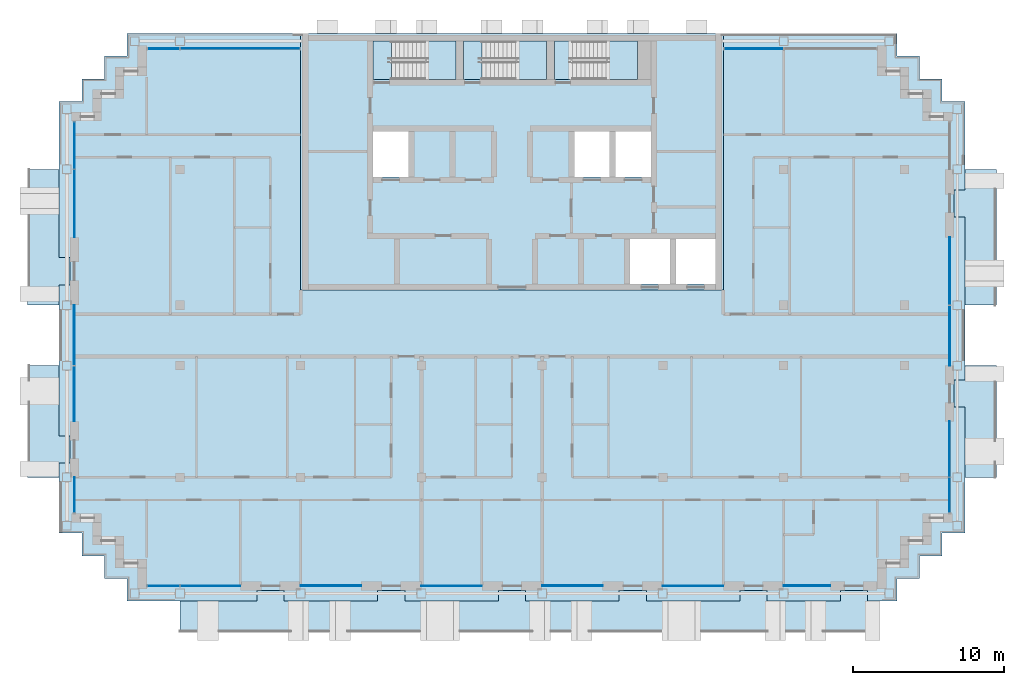
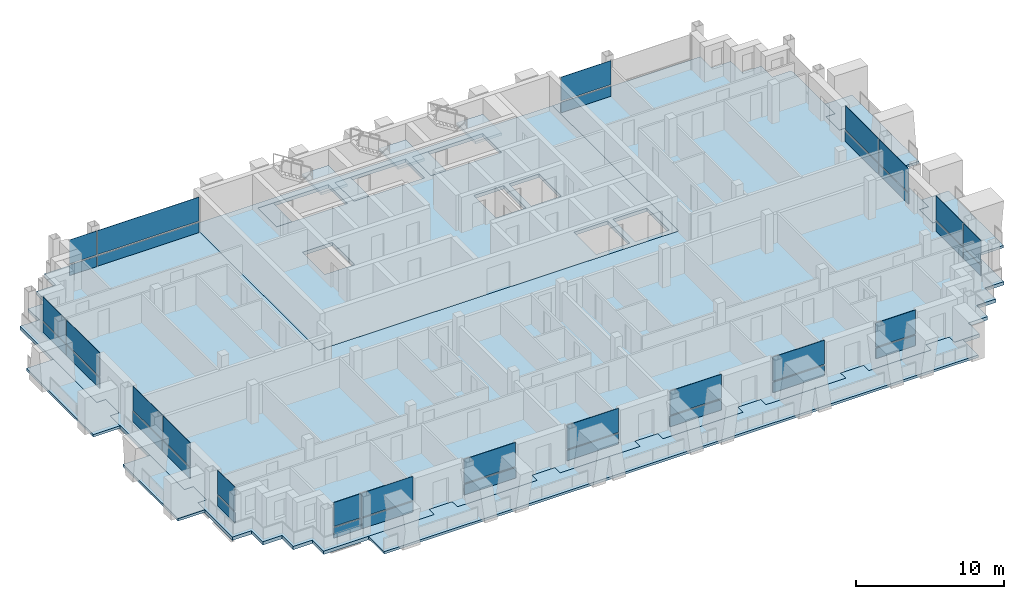
# One storey, part 6 of 16: 38 plates, 13 slabs, 16 elements without a shape of their own.
"""IFC4 building model written with IfcOpenShell, lengths in metres."""

from ifc_helpers import new_model, si_unit, direction, frame, origin, origin_2d, place, context, subcontext, project, spatial, polyline, rectangle, outline, extrude, material, layer, layer_set, type_object, element, aggregate, save


model = new_model("IFC4")

# Units and contexts
model_context = context("Model", 3, precision=1e-05, world=origin(), true_north=direction((0.0, 1.0)))
body_context = subcontext(model_context, "Body", "Model", "MODEL_VIEW")
ifc_project = project(units=[si_unit("LENGTHUNIT", "METRE"), si_unit("AREAUNIT", "SQUARE_METRE"), si_unit("VOLUMEUNIT", "CUBIC_METRE"), si_unit("PLANEANGLEUNIT", "RADIAN"), si_unit("MASSUNIT", "GRAM", prefix="KILO")], contexts=[model_context])

# Site, building, storey
site_placement = place(None, origin())
site = spatial("IfcSite", under=ifc_project, at=site_placement, CompositionType="ELEMENT")
building_placement = place(site_placement, origin())
building = spatial("IfcBuilding", under=site, at=building_placement, Name="Vidyagriha Tower", CompositionType="ELEMENT")
storey_placement = place(building_placement, frame((0.0, 0.0, 217.199951171875)))
storey = spatial("IfcBuildingStorey", under=building, at=storey_placement, Name="L56", CompositionType="ELEMENT", Elevation=217.199951171875)

# Curtain wall, plate
ifc_material_1 = material(Name="Aluminium and glass curtain wall", Category="aluminium")
curtain_wall_type = type_object("IfcCurtainWallType", Name="Dwelling skin unitised curtain wall", PredefinedType="USERDEFINED", material=ifc_material_1)
curtain_wall_1_placement = place(storey_placement, origin())
curtain_wall_1 = element("IfcCurtainWall", 1, at=curtain_wall_1_placement, inside=storey, type_object=curtain_wall_type, Name="CW1 dwelling skin", ObjectType="UNITISED", PredefinedType="USERDEFINED")
ifc_material_2 = material(Name="Glass dark ceramic-fritted spandrel", Category="glass")
ifc_layer_1 = layer(ifc_material_2, 0.0400390625)
ifc_layer_set_1 = layer_set([ifc_layer_1], Name="Glass dark ceramic-fritted spandrel")
plate_type_1 = type_object("IfcPlateType", Name="Ceramic-fritted spandrel panel", PredefinedType="CURTAIN_PANEL", material=ifc_layer_set_1)
plate_1_placement = place(storey_placement, frame((-18.017578125, 19.0, 0.0), z_axis=(0.0, 0.0, 1.0), x_axis=(-1.0, 0.0, 0.0)))
plate_1 = element("IfcPlate", 2, at=plate_1_placement, type_object=plate_type_1, Name="CW1 panel 1.1", PredefinedType="CURTAIN_PANEL", context=body_context, shape_type="SweptSolid", body=[
    extrude(rectangle(XDim=7.89501953125, YDim=0.0400390625, at=origin_2d()), origin(), (0.0, 0.0, 1.0), 0.85009765625),
])

# Curtain wall, plates
curtain_wall_2_placement = place(storey_placement, origin())
curtain_wall_2 = element("IfcCurtainWall", 3, at=curtain_wall_2_placement, inside=storey, type_object=curtain_wall_type, Name="CW1 dwelling skin", ObjectType="UNITISED", PredefinedType="USERDEFINED")
plate_2_placement = place(storey_placement, frame((-29.0, 12.58251953125, 0.0), z_axis=(0.0, 0.0, 1.0), x_axis=(0.0, -1.0, 0.0)))
plate_2 = element("IfcPlate", 4, at=plate_2_placement, type_object=plate_type_1, Name="CW1 panel 1.1", PredefinedType="CURTAIN_PANEL", context=body_context, shape_type="SweptSolid", body=[
    extrude(rectangle(XDim=3.094970703125, YDim=0.0400390625, at=origin_2d()), origin(), (0.0, 0.0, 1.0), 0.85009765625),
])
plate_3_placement = place(storey_placement, frame((-29.0, 8.732421875, 0.0), z_axis=(0.0, 0.0, 1.0), x_axis=(0.0, -1.0, 0.0)))
plate_3 = element("IfcPlate", 5, at=plate_3_placement, type_object=plate_type_1, Name="CW1 panel 2.1", PredefinedType="CURTAIN_PANEL", context=body_context, shape_type="SweptSolid", body=[
    extrude(rectangle(XDim=4.465087890625, YDim=0.0400390625, at=origin_2d()), origin(), (0.0, 0.0, 1.0), 0.85009765625),
])

# Curtain wall, plate
curtain_wall_3_placement = place(storey_placement, origin())
curtain_wall_3 = element("IfcCurtainWall", 6, at=curtain_wall_3_placement, inside=storey, type_object=curtain_wall_type, Name="CW1 dwelling skin", ObjectType="UNITISED", PredefinedType="USERDEFINED")
plate_4_placement = place(storey_placement, frame((-29.0, -10.56494140625, 0.0), z_axis=(0.0, 0.0, 1.0), x_axis=(0.0, -1.0, 0.0)))
plate_4 = element("IfcPlate", 7, at=plate_4_placement, type_object=plate_type_1, Name="CW1 panel 1.1", PredefinedType="CURTAIN_PANEL", context=body_context, shape_type="SweptSolid", body=[
    extrude(rectangle(XDim=2.330078125, YDim=0.0400390625, at=origin_2d()), origin(), (0.0, 0.0, 1.0), 0.85009765625),
])

# Curtain wall, plates
curtain_wall_4_placement = place(storey_placement, origin())
curtain_wall_4 = element("IfcCurtainWall", 8, at=curtain_wall_4_placement, inside=storey, type_object=curtain_wall_type, Name="CW1 dwelling skin", ObjectType="UNITISED", PredefinedType="USERDEFINED")
plate_5_placement = place(storey_placement, frame((-23.08251953125, -16.60009765625, 0.0)))
plate_5 = element("IfcPlate", 9, at=plate_5_placement, type_object=plate_type_1, Name="CW1 panel 1.1", PredefinedType="CURTAIN_PANEL", context=body_context, shape_type="SweptSolid", body=[
    extrude(rectangle(XDim=2.094970703125, YDim=0.0400390625, at=origin_2d()), origin(), (0.0, 0.0, 1.0), 0.85009765625),
])
plate_6_placement = place(storey_placement, frame((-19.982421875, -16.60009765625, 0.0)))
plate_6 = element("IfcPlate", 10, at=plate_6_placement, type_object=plate_type_1, Name="CW1 panel 2.1", PredefinedType="CURTAIN_PANEL", context=body_context, shape_type="SweptSolid", body=[
    extrude(rectangle(XDim=3.965087890625, YDim=0.0400390625, at=origin_2d()), origin(), (0.0, 0.0, 1.0), 0.85009765625),
])

# Curtain wall, plate
curtain_wall_5_placement = place(storey_placement, origin())
curtain_wall_5 = element("IfcCurtainWall", 11, at=curtain_wall_5_placement, inside=storey, type_object=curtain_wall_type, Name="CW1 dwelling skin", ObjectType="UNITISED", PredefinedType="USERDEFINED")
plate_7_placement = place(storey_placement, frame((-4.0, -16.60009765625, 0.0)))
plate_7 = element("IfcPlate", 12, at=plate_7_placement, type_object=plate_type_1, Name="CW1 panel 1.1", PredefinedType="CURTAIN_PANEL", context=body_context, shape_type="SweptSolid", body=[
    extrude(rectangle(XDim=4.0, YDim=0.0400390625, at=origin_2d()), origin(), (0.0, 0.0, 1.0), 0.85009765625),
])

curtain_wall_6_placement = place(storey_placement, origin())
curtain_wall_6 = element("IfcCurtainWall", 13, at=curtain_wall_6_placement, inside=storey, type_object=curtain_wall_type, Name="CW1 dwelling skin", ObjectType="UNITISED", PredefinedType="USERDEFINED")
plate_8_placement = place(storey_placement, frame((12.0, -16.60009765625, 0.0)))
plate_8 = element("IfcPlate", 14, at=plate_8_placement, type_object=plate_type_1, Name="CW1 panel 1.1", PredefinedType="CURTAIN_PANEL", context=body_context, shape_type="SweptSolid", body=[
    extrude(rectangle(XDim=4.0, YDim=0.0400390625, at=origin_2d()), origin(), (0.0, 0.0, 1.0), 0.85009765625),
])

# Curtain wall, plates
curtain_wall_7_placement = place(storey_placement, origin())
curtain_wall_7 = element("IfcCurtainWall", 15, at=curtain_wall_7_placement, inside=storey, type_object=curtain_wall_type, Name="CW1 dwelling skin", ObjectType="UNITISED", PredefinedType="USERDEFINED")
plate_9_placement = place(storey_placement, frame((29.0, -10.58251953125, 0.0), z_axis=(0.0, 0.0, 1.0), x_axis=(0.0, 1.0, 0.0)))
plate_9 = element("IfcPlate", 16, at=plate_9_placement, type_object=plate_type_1, Name="CW1 panel 1.1", PredefinedType="CURTAIN_PANEL", context=body_context, shape_type="SweptSolid", body=[
    extrude(rectangle(XDim=2.294921875, YDim=0.0400390625, at=origin_2d()), origin(), (0.0, 0.0, 1.0), 0.85009765625),
])
plate_10_placement = place(storey_placement, frame((29.0, -7.532470703125, 0.0), z_axis=(0.0, 0.0, 1.0), x_axis=(0.0, 1.0, 0.0)))
plate_10 = element("IfcPlate", 17, at=plate_10_placement, type_object=plate_type_1, Name="CW1 panel 2.1", PredefinedType="CURTAIN_PANEL", context=body_context, shape_type="SweptSolid", body=[
    extrude(rectangle(XDim=3.6650390625, YDim=0.0400390625, at=origin_2d()), origin(), (0.0, 0.0, 1.0), 0.85009765625),
])

# Slab
ifc_material_3 = material(Name="Concrete C60/75", Category="concrete")
ifc_layer_2 = layer(ifc_material_3, 0.280029296875)
ifc_layer_set_2 = layer_set([ifc_layer_2], Name="Concrete C60/75")
slab_type_1 = type_object("IfcSlabType", Name="Core floor slab 280 mm", PredefinedType="FLOOR", material=ifc_layer_set_2)
slab_1_placement = place(storey_placement, frame((0.0, 0.0, -0.280029296875)))
element("IfcSlab", 18, at=slab_1_placement, inside=storey, type_object=slab_type_1, Name="L56 core floor 1", PredefinedType="FLOOR", context=body_context, shape_type="SweptSolid", body=[
    extrude(outline(polyline([(-14.0, 3.0), (-14.0, 20.0), (14.0, 20.0), (14.0, 3.0), (-14.0, 3.0)]), holes=[polyline([(13.5, 6.39990234375), (10.855712890625, 6.39990234375), (10.855712890625, 3.39990234375), (13.5, 3.39990234375), (13.5, 6.39990234375)]), polyline([(10.45556640625, 6.39990234375), (7.81103515625, 6.39990234375), (7.81103515625, 3.39990234375), (10.45556640625, 3.39990234375), (10.45556640625, 6.39990234375)]), polyline([(9.199951171875, 13.5), (6.86669921875, 13.5), (6.86669921875, 10.5), (9.199951171875, 10.5), (9.199951171875, 13.5)]), polyline([(2.800048828125, 19.5), (2.800048828125, 16.949951171875), (4.0, 16.949951171875), (8.300048828125, 16.949951171875), (8.300048828125, 19.5), (4.0, 19.5), (2.800048828125, 19.5)]), polyline([(4.13330078125, 13.5), (4.13330078125, 10.5), (6.466796875, 10.5), (6.466796875, 13.5), (4.13330078125, 13.5)]), polyline([(-2.0, 19.5), (-3.199951171875, 19.5), (-3.199951171875, 16.949951171875), (-2.0, 16.949951171875), (2.300048828125, 16.949951171875), (2.300048828125, 19.5), (-2.0, 19.5)]), polyline([(-9.199951171875, 19.5), (-9.199951171875, 16.949951171875), (-8.0, 16.949951171875), (-3.699951171875, 16.949951171875), (-3.699951171875, 19.5), (-8.0, 19.5), (-9.199951171875, 19.5)]), polyline([(-9.199951171875, 13.5), (-9.199951171875, 10.5), (-6.86669921875, 10.5), (-6.86669921875, 13.5), (-9.199951171875, 13.5)])]), origin(), (0.0, 0.0, 1.0), 0.280029296875),
])

# Curtain wall, plate
curtain_wall_8_placement = place(storey_placement, origin())
curtain_wall_8 = element("IfcCurtainWall", 19, at=curtain_wall_8_placement, inside=storey, type_object=curtain_wall_type, Name="CW1 dwelling skin", ObjectType="UNITISED", PredefinedType="USERDEFINED")
ifc_material_4 = material(Name="Glass dark ceramic-fritted", Category="glass")
ifc_layer_3 = layer(ifc_material_4, 0.028076171875)
ifc_layer_set_3 = layer_set([ifc_layer_3], Name="Glass dark ceramic-fritted")
plate_type_2 = type_object("IfcPlateType", Name="Dark ceramic-fritted vision glass panel", PredefinedType="CURTAIN_PANEL", material=ifc_layer_set_3)
plate_11_placement = place(storey_placement, frame((16.017578125, 19.0, 0.9501953125), z_axis=(0.0, 0.0, 1.0), x_axis=(-1.0, 0.0, 0.0)))
plate_11 = element("IfcPlate", 20, at=plate_11_placement, type_object=plate_type_2, Name="CW1 panel 2.2", PredefinedType="CURTAIN_PANEL", context=body_context, shape_type="SweptSolid", body=[
    extrude(rectangle(XDim=3.89501953125, YDim=0.028076171875, at=origin_2d()), origin(), (0.0, 0.0, 1.0), 1.969970703125),
])

# Plate
plate_12_placement = place(storey_placement, frame((-18.017578125, 19.0, 0.9501953125), z_axis=(0.0, 0.0, 1.0), x_axis=(-1.0, 0.0, 0.0)))
plate_12 = element("IfcPlate", 21, at=plate_12_placement, type_object=plate_type_2, Name="CW1 panel 1.2", PredefinedType="CURTAIN_PANEL", context=body_context, shape_type="SweptSolid", body=[
    extrude(rectangle(XDim=7.89501953125, YDim=0.028076171875, at=origin_2d()), origin(), (0.0, 0.0, 1.0), 1.969970703125),
])

plate_13_placement = place(storey_placement, frame((-23.08251953125, 19.0, 0.9501953125), z_axis=(0.0, 0.0, 1.0), x_axis=(-1.0, 0.0, 0.0)))
plate_13 = element("IfcPlate", 22, at=plate_13_placement, type_object=plate_type_2, Name="CW1 panel 2.2", PredefinedType="CURTAIN_PANEL", context=body_context, shape_type="SweptSolid", body=[
    extrude(rectangle(XDim=2.094970703125, YDim=0.028076171875, at=origin_2d()), origin(), (0.0, 0.0, 1.0), 1.969970703125),
])

plate_14_placement = place(storey_placement, frame((-29.0, 12.58251953125, 0.9501953125), z_axis=(0.0, 0.0, 1.0), x_axis=(0.0, -1.0, 0.0)))
plate_14 = element("IfcPlate", 23, at=plate_14_placement, type_object=plate_type_2, Name="CW1 panel 1.2", PredefinedType="CURTAIN_PANEL", context=body_context, shape_type="SweptSolid", body=[
    extrude(rectangle(XDim=3.094970703125, YDim=0.028076171875, at=origin_2d()), origin(), (0.0, 0.0, 1.0), 1.969970703125),
])

plate_15_placement = place(storey_placement, frame((-29.0, 8.732421875, 0.9501953125), z_axis=(0.0, 0.0, 1.0), x_axis=(0.0, -1.0, 0.0)))
plate_15 = element("IfcPlate", 24, at=plate_15_placement, type_object=plate_type_2, Name="CW1 panel 2.2", PredefinedType="CURTAIN_PANEL", context=body_context, shape_type="SweptSolid", body=[
    extrude(rectangle(XDim=4.465087890625, YDim=0.028076171875, at=origin_2d()), origin(), (0.0, 0.0, 1.0), 1.969970703125),
])

aggregate(curtain_wall_2, [plate_2, plate_14, plate_3, plate_15])

# Curtain wall, plates
curtain_wall_9_placement = place(storey_placement, origin())
curtain_wall_9 = element("IfcCurtainWall", 25, at=curtain_wall_9_placement, inside=storey, type_object=curtain_wall_type, Name="CW1 dwelling skin", ObjectType="UNITISED", PredefinedType="USERDEFINED")
plate_16_placement = place(storey_placement, frame((-29.0, 0.017578125, 0.9501953125), z_axis=(0.0, 0.0, 1.0), x_axis=(0.0, -1.0, 0.0)))
plate_16 = element("IfcPlate", 26, at=plate_16_placement, type_object=plate_type_2, Name="CW1 panel 1.2", PredefinedType="CURTAIN_PANEL", context=body_context, shape_type="SweptSolid", body=[
    extrude(rectangle(XDim=3.965087890625, YDim=0.028076171875, at=origin_2d()), origin(), (0.0, 0.0, 1.0), 1.969970703125),
])
plate_17_placement = place(storey_placement, frame((-29.0, -3.867431640625, 0.9501953125), z_axis=(0.0, 0.0, 1.0), x_axis=(0.0, -1.0, 0.0)))
plate_17 = element("IfcPlate", 27, at=plate_17_placement, type_object=plate_type_2, Name="CW1 panel 2.2", PredefinedType="CURTAIN_PANEL", context=body_context, shape_type="SweptSolid", body=[
    extrude(rectangle(XDim=3.6650390625, YDim=0.028076171875, at=origin_2d()), origin(), (0.0, 0.0, 1.0), 1.969970703125),
])

# Plate
plate_18_placement = place(storey_placement, frame((-29.0, -10.56494140625, 0.9501953125), z_axis=(0.0, 0.0, 1.0), x_axis=(0.0, -1.0, 0.0)))
plate_18 = element("IfcPlate", 28, at=plate_18_placement, type_object=plate_type_2, Name="CW1 panel 1.2", PredefinedType="CURTAIN_PANEL", context=body_context, shape_type="SweptSolid", body=[
    extrude(rectangle(XDim=2.330078125, YDim=0.028076171875, at=origin_2d()), origin(), (0.0, 0.0, 1.0), 1.969970703125),
])

aggregate(curtain_wall_3, [plate_4, plate_18])

plate_19_placement = place(storey_placement, frame((-23.08251953125, -16.60009765625, 0.9501953125)))
plate_19 = element("IfcPlate", 29, at=plate_19_placement, type_object=plate_type_2, Name="CW1 panel 1.2", PredefinedType="CURTAIN_PANEL", context=body_context, shape_type="SweptSolid", body=[
    extrude(rectangle(XDim=2.094970703125, YDim=0.028076171875, at=origin_2d()), origin(), (0.0, 0.0, 1.0), 1.969970703125),
])

plate_20_placement = place(storey_placement, frame((-19.982421875, -16.60009765625, 0.9501953125)))
plate_20 = element("IfcPlate", 30, at=plate_20_placement, type_object=plate_type_2, Name="CW1 panel 2.2", PredefinedType="CURTAIN_PANEL", context=body_context, shape_type="SweptSolid", body=[
    extrude(rectangle(XDim=3.965087890625, YDim=0.028076171875, at=origin_2d()), origin(), (0.0, 0.0, 1.0), 1.969970703125),
])

aggregate(curtain_wall_4, [plate_5, plate_19, plate_6, plate_20])

# Curtain wall, plate
curtain_wall_10_placement = place(storey_placement, origin())
curtain_wall_10 = element("IfcCurtainWall", 31, at=curtain_wall_10_placement, inside=storey, type_object=curtain_wall_type, Name="CW1 dwelling skin", ObjectType="UNITISED", PredefinedType="USERDEFINED")
plate_21_placement = place(storey_placement, frame((-12.0, -16.60009765625, 0.9501953125)))
plate_21 = element("IfcPlate", 32, at=plate_21_placement, type_object=plate_type_2, Name="CW1 panel 1.2", PredefinedType="CURTAIN_PANEL", context=body_context, shape_type="SweptSolid", body=[
    extrude(rectangle(XDim=4.0, YDim=0.028076171875, at=origin_2d()), origin(), (0.0, 0.0, 1.0), 1.969970703125),
])

# Plate
plate_22_placement = place(storey_placement, frame((-4.0, -16.60009765625, 0.9501953125)))
plate_22 = element("IfcPlate", 33, at=plate_22_placement, type_object=plate_type_2, Name="CW1 panel 1.2", PredefinedType="CURTAIN_PANEL", context=body_context, shape_type="SweptSolid", body=[
    extrude(rectangle(XDim=4.0, YDim=0.028076171875, at=origin_2d()), origin(), (0.0, 0.0, 1.0), 1.969970703125),
])

aggregate(curtain_wall_5, [plate_7, plate_22])

# Curtain wall, plate
curtain_wall_11_placement = place(storey_placement, origin())
curtain_wall_11 = element("IfcCurtainWall", 34, at=curtain_wall_11_placement, inside=storey, type_object=curtain_wall_type, Name="CW1 dwelling skin", ObjectType="UNITISED", PredefinedType="USERDEFINED")
plate_23_placement = place(storey_placement, frame((4.0, -16.60009765625, 0.9501953125)))
plate_23 = element("IfcPlate", 35, at=plate_23_placement, type_object=plate_type_2, Name="CW1 panel 1.2", PredefinedType="CURTAIN_PANEL", context=body_context, shape_type="SweptSolid", body=[
    extrude(rectangle(XDim=4.0, YDim=0.028076171875, at=origin_2d()), origin(), (0.0, 0.0, 1.0), 1.969970703125),
])

# Plate
plate_24_placement = place(storey_placement, frame((12.0, -16.60009765625, 0.9501953125)))
plate_24 = element("IfcPlate", 36, at=plate_24_placement, type_object=plate_type_2, Name="CW1 panel 1.2", PredefinedType="CURTAIN_PANEL", context=body_context, shape_type="SweptSolid", body=[
    extrude(rectangle(XDim=4.0, YDim=0.028076171875, at=origin_2d()), origin(), (0.0, 0.0, 1.0), 1.969970703125),
])

aggregate(curtain_wall_6, [plate_8, plate_24])

# Curtain wall, plate
curtain_wall_12_placement = place(storey_placement, origin())
curtain_wall_12 = element("IfcCurtainWall", 37, at=curtain_wall_12_placement, inside=storey, type_object=curtain_wall_type, Name="CW1 dwelling skin", ObjectType="UNITISED", PredefinedType="USERDEFINED")
plate_25_placement = place(storey_placement, frame((19.550048828125, -16.60009765625, 0.9501953125)))
plate_25 = element("IfcPlate", 38, at=plate_25_placement, type_object=plate_type_2, Name="CW1 panel 1.2", PredefinedType="CURTAIN_PANEL", context=body_context, shape_type="SweptSolid", body=[
    extrude(rectangle(XDim=3.10009765625, YDim=0.028076171875, at=origin_2d()), origin(), (0.0, 0.0, 1.0), 1.969970703125),
])

# Plate
plate_26_placement = place(storey_placement, frame((29.0, -10.58251953125, 0.9501953125), z_axis=(0.0, 0.0, 1.0), x_axis=(0.0, 1.0, 0.0)))
plate_26 = element("IfcPlate", 39, at=plate_26_placement, type_object=plate_type_2, Name="CW1 panel 1.2", PredefinedType="CURTAIN_PANEL", context=body_context, shape_type="SweptSolid", body=[
    extrude(rectangle(XDim=2.294921875, YDim=0.028076171875, at=origin_2d()), origin(), (0.0, 0.0, 1.0), 1.969970703125),
])

plate_27_placement = place(storey_placement, frame((29.0, -7.532470703125, 0.9501953125), z_axis=(0.0, 0.0, 1.0), x_axis=(0.0, 1.0, 0.0)))
plate_27 = element("IfcPlate", 40, at=plate_27_placement, type_object=plate_type_2, Name="CW1 panel 2.2", PredefinedType="CURTAIN_PANEL", context=body_context, shape_type="SweptSolid", body=[
    extrude(rectangle(XDim=3.6650390625, YDim=0.028076171875, at=origin_2d()), origin(), (0.0, 0.0, 1.0), 1.969970703125),
])

aggregate(curtain_wall_7, [plate_9, plate_26, plate_10, plate_27])

# Curtain wall, plates
curtain_wall_13_placement = place(storey_placement, origin())
curtain_wall_13 = element("IfcCurtainWall", 41, at=curtain_wall_13_placement, inside=storey, type_object=curtain_wall_type, Name="CW1 dwelling skin", ObjectType="UNITISED", PredefinedType="USERDEFINED")
plate_28_placement = place(storey_placement, frame((29.0, -0.017578125, 0.9501953125), z_axis=(0.0, 0.0, 1.0), x_axis=(0.0, 1.0, 0.0)))
plate_28 = element("IfcPlate", 42, at=plate_28_placement, type_object=plate_type_2, Name="CW1 panel 1.2", PredefinedType="CURTAIN_PANEL", context=body_context, shape_type="SweptSolid", body=[
    extrude(rectangle(XDim=3.965087890625, YDim=0.028076171875, at=origin_2d()), origin(), (0.0, 0.0, 1.0), 1.969970703125),
])
plate_29_placement = place(storey_placement, frame((29.0, 4.267578125, 0.9501953125), z_axis=(0.0, 0.0, 1.0), x_axis=(0.0, 1.0, 0.0)))
plate_29 = element("IfcPlate", 43, at=plate_29_placement, type_object=plate_type_2, Name="CW1 panel 2.2", PredefinedType="CURTAIN_PANEL", context=body_context, shape_type="SweptSolid", body=[
    extrude(rectangle(XDim=4.465087890625, YDim=0.028076171875, at=origin_2d()), origin(), (0.0, 0.0, 1.0), 1.969970703125),
])

# Slabs
ifc_material_5 = material(Name="Concrete C40/50", Category="concrete")
ifc_layer_4 = layer(ifc_material_5, 0.280029296875)
ifc_layer_set_4 = layer_set([ifc_layer_4], Name="Concrete C40/50")
slab_type_2 = type_object("IfcSlabType", Name="Exit stair floor landing 280 mm", PredefinedType="LANDING", material=ifc_layer_set_4)
slab_2_placement = place(storey_placement, frame((0.0, 0.0, -0.280029296875)))
element("IfcSlab", 44, at=slab_2_placement, inside=storey, type_object=slab_type_2, Name="ST1 floor landing L56", PredefinedType="LANDING", context=body_context, shape_type="SweptSolid", body=[
    extrude(outline(polyline([(-9.199951171875, 16.949951171875), (-8.0, 16.949951171875), (-8.0, 19.5), (-9.199951171875, 19.5), (-9.199951171875, 16.949951171875)])), origin(), (0.0, 0.0, 1.0), 0.280029296875),
])
slab_3_placement = place(storey_placement, frame((0.0, 0.0, -0.280029296875)))
element("IfcSlab", 45, at=slab_3_placement, inside=storey, type_object=slab_type_2, Name="ST2 floor landing L56", PredefinedType="LANDING", context=body_context, shape_type="SweptSolid", body=[
    extrude(outline(polyline([(-3.199951171875, 16.949951171875), (-2.0, 16.949951171875), (-2.0, 19.5), (-3.199951171875, 19.5), (-3.199951171875, 16.949951171875)])), origin(), (0.0, 0.0, 1.0), 0.280029296875),
])
slab_4_placement = place(storey_placement, frame((0.0, 0.0, -0.280029296875)))
element("IfcSlab", 46, at=slab_4_placement, inside=storey, type_object=slab_type_2, Name="ST3 floor landing L56", PredefinedType="LANDING", context=body_context, shape_type="SweptSolid", body=[
    extrude(outline(polyline([(2.800048828125, 16.949951171875), (4.0, 16.949951171875), (4.0, 19.5), (2.800048828125, 19.5), (2.800048828125, 16.949951171875)])), origin(), (0.0, 0.0, 1.0), 0.280029296875),
])

# Stair, slab
ifc_material_6 = material(Name="Concrete C40/50", Category="concrete")
stair_type = type_object("IfcStairType", Name="Exit stair, half-turn, precast flights", PredefinedType="HALF_TURN_STAIR", material=ifc_material_6)
stair_1_placement = place(storey_placement, origin())
stair_1 = element("IfcStair", 47, at=stair_1_placement, inside=storey, type_object=stair_type, Name="L56 Exit Stair ST1", PredefinedType="HALF_TURN_STAIR")
ifc_material_7 = material(Name="Concrete C40/50", Category="concrete")
ifc_layer_5 = layer(ifc_material_7, 0.199951171875)
ifc_layer_set_5 = layer_set([ifc_layer_5], Name="Concrete C40/50")
slab_type_3 = type_object("IfcSlabType", Name="Exit stair landing 200 mm", PredefinedType="LANDING", material=ifc_layer_set_5)
slab_5_placement = place(storey_placement, frame((0.0, 0.0, 1.400146484375)))
slab_5 = element("IfcSlab", 48, at=slab_5_placement, type_object=slab_type_3, Name="ST1 landing 1", PredefinedType="LANDING", context=body_context, shape_type="SweptSolid", body=[
    extrude(outline(polyline([(-5.760009765625, 16.949951171875), (-3.699951171875, 16.949951171875), (-3.699951171875, 19.5), (-5.760009765625, 19.5), (-5.760009765625, 16.949951171875)])), origin(), (0.0, 0.0, 1.0), 0.199951171875),
])
aggregate(stair_1, [slab_5])

stair_2_placement = place(storey_placement, origin())
stair_2 = element("IfcStair", 49, at=stair_2_placement, inside=storey, type_object=stair_type, Name="L56 Exit Stair ST2", PredefinedType="HALF_TURN_STAIR")
slab_6_placement = place(storey_placement, frame((0.0, 0.0, 1.400146484375)))
slab_6 = element("IfcSlab", 50, at=slab_6_placement, type_object=slab_type_3, Name="ST2 landing 1", PredefinedType="LANDING", context=body_context, shape_type="SweptSolid", body=[
    extrude(outline(polyline([(0.239990234375, 16.949951171875), (2.300048828125, 16.949951171875), (2.300048828125, 19.5), (0.239990234375, 19.5), (0.239990234375, 16.949951171875)])), origin(), (0.0, 0.0, 1.0), 0.199951171875),
])
aggregate(stair_2, [slab_6])

stair_3_placement = place(storey_placement, origin())
stair_3 = element("IfcStair", 51, at=stair_3_placement, inside=storey, type_object=stair_type, Name="L56 Exit Stair ST3", PredefinedType="HALF_TURN_STAIR")
slab_7_placement = place(storey_placement, frame((0.0, 0.0, 1.400146484375)))
slab_7 = element("IfcSlab", 52, at=slab_7_placement, type_object=slab_type_3, Name="ST3 landing 1", PredefinedType="LANDING", context=body_context, shape_type="SweptSolid", body=[
    extrude(outline(polyline([(6.239990234375, 16.949951171875), (8.300048828125, 16.949951171875), (8.300048828125, 19.5), (6.239990234375, 19.5), (6.239990234375, 16.949951171875)])), origin(), (0.0, 0.0, 1.0), 0.199951171875),
])
aggregate(stair_3, [slab_7])

# Plate
ifc_material_8 = material(Name="Aluminium black anodised", Category="aluminium")
ifc_layer_6 = layer(ifc_material_8, 0.06005859375)
ifc_layer_set_6 = layer_set([ifc_layer_6], Name="Aluminium black anodised")
plate_type_3 = type_object("IfcPlateType", Name="Operable black-metal vent panel", PredefinedType="CURTAIN_PANEL", material=ifc_layer_set_6)
plate_30_placement = place(storey_placement, frame((16.017578125, 19.0, 0.0), z_axis=(0.0, 0.0, 1.0), x_axis=(-1.0, 0.0, 0.0)))
plate_30 = element("IfcPlate", 53, at=plate_30_placement, type_object=plate_type_3, Name="CW1 panel 2.1", PredefinedType="CURTAIN_PANEL", context=body_context, shape_type="SweptSolid", body=[
    extrude(rectangle(XDim=3.89501953125, YDim=0.06005859375, at=origin_2d()), origin(), (0.0, 0.0, 1.0), 0.85009765625),
])

aggregate(curtain_wall_8, [plate_30, plate_11])

plate_31_placement = place(storey_placement, frame((-23.08251953125, 19.0, 0.0), z_axis=(0.0, 0.0, 1.0), x_axis=(-1.0, 0.0, 0.0)))
plate_31 = element("IfcPlate", 54, at=plate_31_placement, type_object=plate_type_3, Name="CW1 panel 2.1", PredefinedType="CURTAIN_PANEL", context=body_context, shape_type="SweptSolid", body=[
    extrude(rectangle(XDim=2.094970703125, YDim=0.06005859375, at=origin_2d()), origin(), (0.0, 0.0, 1.0), 0.85009765625),
])

aggregate(curtain_wall_1, [plate_1, plate_12, plate_31, plate_13])

plate_32_placement = place(storey_placement, frame((-29.0, 0.017578125, 0.0), z_axis=(0.0, 0.0, 1.0), x_axis=(0.0, -1.0, 0.0)))
plate_32 = element("IfcPlate", 55, at=plate_32_placement, type_object=plate_type_3, Name="CW1 panel 1.1", PredefinedType="CURTAIN_PANEL", context=body_context, shape_type="SweptSolid", body=[
    extrude(rectangle(XDim=3.965087890625, YDim=0.06005859375, at=origin_2d()), origin(), (0.0, 0.0, 1.0), 0.85009765625),
])

plate_33_placement = place(storey_placement, frame((-29.0, -3.867431640625, 0.0), z_axis=(0.0, 0.0, 1.0), x_axis=(0.0, -1.0, 0.0)))
plate_33 = element("IfcPlate", 56, at=plate_33_placement, type_object=plate_type_3, Name="CW1 panel 2.1", PredefinedType="CURTAIN_PANEL", context=body_context, shape_type="SweptSolid", body=[
    extrude(rectangle(XDim=3.6650390625, YDim=0.06005859375, at=origin_2d()), origin(), (0.0, 0.0, 1.0), 0.85009765625),
])

aggregate(curtain_wall_9, [plate_32, plate_16, plate_33, plate_17])

plate_34_placement = place(storey_placement, frame((-12.0, -16.60009765625, 0.0)))
plate_34 = element("IfcPlate", 57, at=plate_34_placement, type_object=plate_type_3, Name="CW1 panel 1.1", PredefinedType="CURTAIN_PANEL", context=body_context, shape_type="SweptSolid", body=[
    extrude(rectangle(XDim=4.0, YDim=0.06005859375, at=origin_2d()), origin(), (0.0, 0.0, 1.0), 0.85009765625),
])

aggregate(curtain_wall_10, [plate_34, plate_21])

plate_35_placement = place(storey_placement, frame((4.0, -16.60009765625, 0.0)))
plate_35 = element("IfcPlate", 58, at=plate_35_placement, type_object=plate_type_3, Name="CW1 panel 1.1", PredefinedType="CURTAIN_PANEL", context=body_context, shape_type="SweptSolid", body=[
    extrude(rectangle(XDim=4.0, YDim=0.06005859375, at=origin_2d()), origin(), (0.0, 0.0, 1.0), 0.85009765625),
])

aggregate(curtain_wall_11, [plate_35, plate_23])

plate_36_placement = place(storey_placement, frame((19.550048828125, -16.60009765625, 0.0)))
plate_36 = element("IfcPlate", 59, at=plate_36_placement, type_object=plate_type_3, Name="CW1 panel 1.1", PredefinedType="CURTAIN_PANEL", context=body_context, shape_type="SweptSolid", body=[
    extrude(rectangle(XDim=3.10009765625, YDim=0.06005859375, at=origin_2d()), origin(), (0.0, 0.0, 1.0), 0.85009765625),
])

aggregate(curtain_wall_12, [plate_36, plate_25])

plate_37_placement = place(storey_placement, frame((29.0, -0.017578125, 0.0), z_axis=(0.0, 0.0, 1.0), x_axis=(0.0, 1.0, 0.0)))
plate_37 = element("IfcPlate", 60, at=plate_37_placement, type_object=plate_type_3, Name="CW1 panel 1.1", PredefinedType="CURTAIN_PANEL", context=body_context, shape_type="SweptSolid", body=[
    extrude(rectangle(XDim=3.965087890625, YDim=0.06005859375, at=origin_2d()), origin(), (0.0, 0.0, 1.0), 0.85009765625),
])

plate_38_placement = place(storey_placement, frame((29.0, 4.267578125, 0.0), z_axis=(0.0, 0.0, 1.0), x_axis=(0.0, 1.0, 0.0)))
plate_38 = element("IfcPlate", 61, at=plate_38_placement, type_object=plate_type_3, Name="CW1 panel 2.1", PredefinedType="CURTAIN_PANEL", context=body_context, shape_type="SweptSolid", body=[
    extrude(rectangle(XDim=4.465087890625, YDim=0.06005859375, at=origin_2d()), origin(), (0.0, 0.0, 1.0), 0.85009765625),
])

aggregate(curtain_wall_13, [plate_37, plate_28, plate_38, plate_29])

# Slabs
ifc_material_9 = material(Name="Concrete C50/60", Category="concrete")
ifc_layer_7 = layer(ifc_material_9, 0.280029296875)
ifc_layer_set_7 = layer_set([ifc_layer_7], Name="Concrete C50/60")
slab_type_4 = type_object("IfcSlabType", Name="Post-tensioned flat plate 280", PredefinedType="FLOOR", material=ifc_layer_set_7)
slab_8_placement = place(storey_placement, frame((0.0, 0.0, -0.280029296875)))
element("IfcSlab", 62, at=slab_8_placement, inside=storey, type_object=slab_type_4, Name="st-slab-L56-1", PredefinedType="FLOOR", context=body_context, shape_type="SweptSolid", body=[
    extrude(outline(polyline([(28.5, -14.60009765625), (27.0, -14.60009765625), (27.0, -16.10009765625), (25.5, -16.10009765625), (25.5, -17.60009765625), (23.550048828125, -17.60009765625), (23.550048828125, -16.89990234375), (21.75, -16.89990234375), (21.75, -17.60009765625), (16.89990234375, -17.60009765625), (16.89990234375, -16.89990234375), (15.10009765625, -16.89990234375), (15.10009765625, -17.60009765625), (8.89990234375, -17.60009765625), (8.89990234375, -16.89990234375), (7.10009765625, -16.89990234375), (7.10009765625, -17.60009765625), (0.89990234375, -17.60009765625), (0.89990234375, -16.89990234375), (-0.89990234375, -16.89990234375), (-0.89990234375, -17.60009765625), (-7.10009765625, -17.60009765625), (-7.10009765625, -16.89990234375), (-8.89990234375, -16.89990234375), (-8.89990234375, -17.60009765625), (-15.10009765625, -17.60009765625), (-15.10009765625, -16.89990234375), (-16.89990234375, -16.89990234375), (-16.89990234375, -17.60009765625), (-25.5, -17.60009765625), (-25.5, -16.10009765625), (-27.0, -16.10009765625), (-27.0, -14.60009765625), (-28.5, -14.60009765625), (-28.5, -13.10009765625), (-30.0, -13.10009765625), (-30.0, -8.449951171875), (-29.300048828125, -8.449951171875), (-29.300048828125, -6.64990234375), (-30.0, -6.64990234375), (-30.0, 3.35009765625), (-29.300048828125, 3.35009765625), (-29.300048828125, 5.14990234375), (-30.0, 5.14990234375), (-30.0, 15.5), (-28.5, 15.5), (-28.5, 17.0), (-27.0, 17.0), (-27.0, 18.5), (-25.5, 18.5), (-25.5, 20.0), (-14.0, 20.0), (-14.0, 3.0), (14.0, 3.0), (14.0, 20.0), (25.5, 20.0), (25.5, 18.5), (27.0, 18.5), (27.0, 17.0), (28.5, 17.0), (28.5, 15.5), (30.0, 15.5), (30.0, 9.64990234375), (29.300048828125, 9.64990234375), (29.300048828125, 7.85009765625), (30.0, 7.85009765625), (30.0, -2.949951171875), (29.300048828125, -2.949951171875), (29.300048828125, -4.75), (30.0, -4.75), (30.0, -13.10009765625), (28.5, -13.10009765625), (28.5, -14.60009765625)])), origin(), (0.0, 0.0, 1.0), 0.280029296875),
])
ifc_material_10 = material(Name="Precast concrete C40/50", Category="concrete")
ifc_layer_8 = layer(ifc_material_10, 0.199951171875)
ifc_layer_set_8 = layer_set([ifc_layer_8], Name="Precast concrete C40/50")
slab_type_5 = type_object("IfcSlabType", Name="Precast balcony slab 200", PredefinedType="USERDEFINED", material=ifc_layer_set_8)
slab_9_placement = place(storey_placement, frame((0.0, 0.0, -0.199951171875)))
element("IfcSlab", 63, at=slab_9_placement, inside=storey, type_object=slab_type_5, Name="Balcony slab L56 R16.1-1", ObjectType="BALCONY", PredefinedType="USERDEFINED", context=body_context, shape_type="SweptSolid", body=[
    extrude(outline(polyline([(-29.300048828125, 3.35009765625), (-29.300048828125, 5.14990234375), (-30.0, 5.14990234375), (-30.0, 11.0), (-32.10009765625, 11.0), (-32.10009765625, 2.0), (-30.0, 2.0), (-30.0, 3.35009765625), (-29.300048828125, 3.35009765625)])), origin(), (0.0, 0.0, 1.0), 0.199951171875),
])
slab_10_placement = place(storey_placement, frame((0.0, 0.0, -0.199951171875)))
element("IfcSlab", 64, at=slab_10_placement, inside=storey, type_object=slab_type_5, Name="Balcony slab L56 R16.2-2", ObjectType="BALCONY", PredefinedType="USERDEFINED", context=body_context, shape_type="SweptSolid", body=[
    extrude(outline(polyline([(-29.300048828125, -8.449951171875), (-29.300048828125, -6.64990234375), (-30.0, -6.64990234375), (-30.0, -2.0), (-32.10009765625, -2.0), (-32.10009765625, -9.39990234375), (-30.0, -9.39990234375), (-30.0, -8.449951171875), (-29.300048828125, -8.449951171875)])), origin(), (0.0, 0.0, 1.0), 0.199951171875),
])
slab_11_placement = place(storey_placement, frame((0.0, 0.0, -0.199951171875)))
element("IfcSlab", 65, at=slab_11_placement, inside=storey, type_object=slab_type_5, Name="Balcony slab L56 R23.1-6", ObjectType="BALCONY", PredefinedType="USERDEFINED", context=body_context, shape_type="SweptSolid", body=[
    extrude(outline(polyline([(-16.89990234375, -16.89990234375), (-16.89990234375, -17.60009765625), (-22.0, -17.60009765625), (-22.0, -19.699951171875), (24.199951171875, -19.699951171875), (24.199951171875, -17.60009765625), (23.550048828125, -17.60009765625), (23.550048828125, -16.89990234375), (21.75, -16.89990234375), (21.75, -17.60009765625), (16.89990234375, -17.60009765625), (16.89990234375, -16.89990234375), (15.10009765625, -16.89990234375), (15.10009765625, -17.60009765625), (8.89990234375, -17.60009765625), (8.89990234375, -16.89990234375), (7.10009765625, -16.89990234375), (7.10009765625, -17.60009765625), (0.89990234375, -17.60009765625), (0.89990234375, -16.89990234375), (-0.89990234375, -16.89990234375), (-0.89990234375, -17.60009765625), (-7.10009765625, -17.60009765625), (-7.10009765625, -16.89990234375), (-8.89990234375, -16.89990234375), (-8.89990234375, -17.60009765625), (-15.10009765625, -17.60009765625), (-15.10009765625, -16.89990234375), (-16.89990234375, -16.89990234375)])), origin(), (0.0, 0.0, 1.0), 0.199951171875),
])
slab_12_placement = place(storey_placement, frame((0.0, 0.0, -0.199951171875)))
element("IfcSlab", 66, at=slab_12_placement, inside=storey, type_object=slab_type_5, Name="Balcony slab L56 R30.1-1", ObjectType="BALCONY", PredefinedType="USERDEFINED", context=body_context, shape_type="SweptSolid", body=[
    extrude(outline(polyline([(30.0, -4.75), (30.0, -9.39990234375), (32.10009765625, -9.39990234375), (32.10009765625, -2.0), (30.0, -2.0), (30.0, -2.949951171875), (29.300048828125, -2.949951171875), (29.300048828125, -4.75), (30.0, -4.75)])), origin(), (0.0, 0.0, 1.0), 0.199951171875),
])
slab_13_placement = place(storey_placement, frame((0.0, 0.0, -0.199951171875)))
element("IfcSlab", 67, at=slab_13_placement, inside=storey, type_object=slab_type_5, Name="Balcony slab L56 R30.2-2", ObjectType="BALCONY", PredefinedType="USERDEFINED", context=body_context, shape_type="SweptSolid", body=[
    extrude(outline(polyline([(30.0, 7.85009765625), (30.0, 2.0), (32.10009765625, 2.0), (32.10009765625, 11.0), (30.0, 11.0), (30.0, 9.64990234375), (29.300048828125, 9.64990234375), (29.300048828125, 7.85009765625), (30.0, 7.85009765625)])), origin(), (0.0, 0.0, 1.0), 0.199951171875),
])

save(model, "model.ifc")
